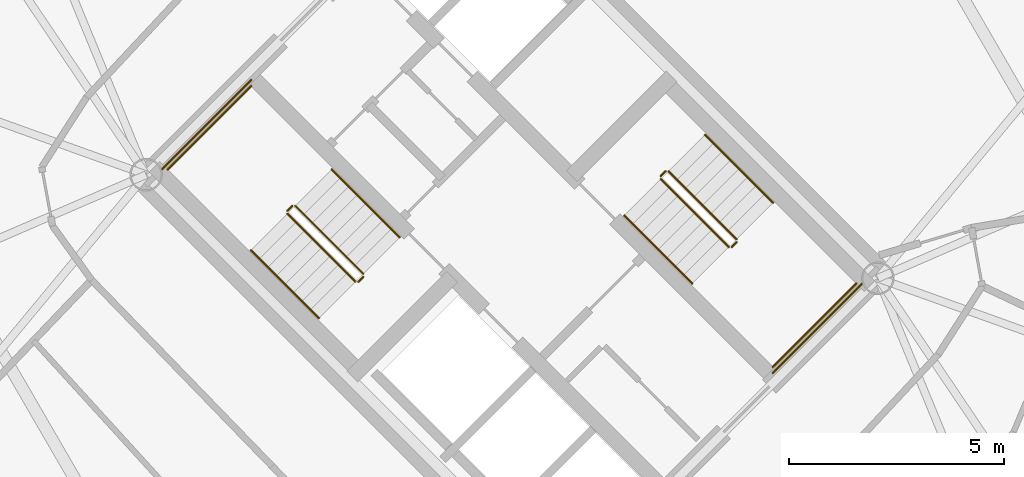
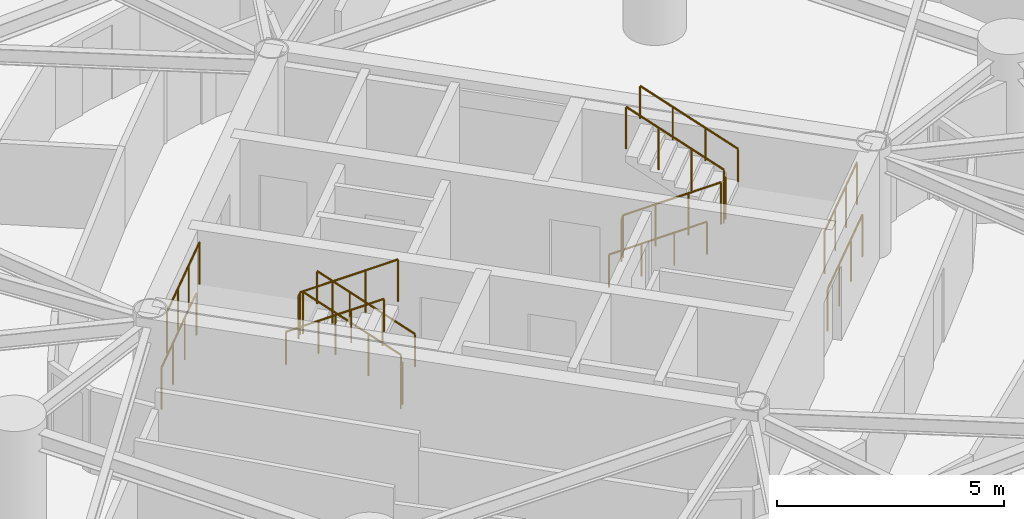
# One storey, part 17 of 18: 16 railings.
"""IFC4 building model written with IfcOpenShell, lengths in metres."""

from ifc_helpers import new_model, si_unit, direction, frame, origin, origin_2d, place, context, subcontext, project, spatial, circle, extrude, material, type_object, element, save


model = new_model("IFC4")

# Units and contexts
model_context = context("Model", 3, precision=1e-05, world=origin(), true_north=direction((0.0, 1.0)))
body_context = subcontext(model_context, "Body", "Model", "MODEL_VIEW")
ifc_project = project(units=[si_unit("LENGTHUNIT", "METRE"), si_unit("AREAUNIT", "SQUARE_METRE"), si_unit("VOLUMEUNIT", "CUBIC_METRE"), si_unit("PLANEANGLEUNIT", "RADIAN"), si_unit("MASSUNIT", "GRAM", prefix="KILO")], contexts=[model_context])

# Site, building, storey
site_placement = place(None, origin())
site = spatial("IfcSite", under=ifc_project, at=site_placement, CompositionType="ELEMENT")
building_placement = place(site_placement, origin())
building = spatial("IfcBuilding", under=site, at=building_placement, Name="Cununo Teusaquillo Station Towers", CompositionType="ELEMENT")
storey_placement = place(building_placement, frame((0.0, 0.0, 105.070068359375)))
storey = spatial("IfcBuildingStorey", under=building, at=storey_placement, Name="L33", CompositionType="ELEMENT", Elevation=105.070068359375)

# Railings
ifc_material_1 = material(Name="Steel EN 10025-2 S355J2", Category="steel")
railing_type_1 = type_object("IfcRailingType", Name="RL-INT-GUARD", PredefinedType="GUARDRAIL", material=ifc_material_1)
railing_1_placement = place(storey_placement, frame((54.03515625, 23.39697265625, 0.16162109375)))
element("IfcRailing", 1, at=railing_1_placement, inside=storey, type_object=railing_type_1, Name="L33 ST-T2-1 stair guard 1", PredefinedType="GUARDRAIL", context=body_context, shape_type="SweptSolid", body=[
    extrude(circle(Radius=0.02392578125, at=origin_2d()), frame((0.0, 0.0, 1.1259765625), z_axis=(-0.612361259024, 0.612361259024, 0.500027376144), x_axis=(-0.707106781187, -0.707106781187, 0.0)), (0.0, 0.0, 1.0), 2.586181640625),
    extrude(circle(Radius=0.02099609375, at=origin_2d()), origin(), (0.0, 0.0, 1.0), 1.101806640625),
    extrude(circle(Radius=0.02099609375, at=origin_2d()), frame((-0.52783203125, 0.52783203125, 0.43115234375)), (0.0, 0.0, 1.0), 1.101806640625),
    extrude(circle(Radius=0.02099609375, at=origin_2d()), frame((-1.055908203125, 1.055908203125, 0.862060546875)), (0.0, 0.0, 1.0), 1.101806640625),
    extrude(circle(Radius=0.02099609375, at=origin_2d()), frame((-1.583740234375, 1.583740234375, 1.293212890625)), (0.0, 0.0, 1.0), 1.101806640625),
])
railing_2_placement = place(storey_placement, frame((52.380615234375, 24.980712890625, 1.454833984375)))
element("IfcRailing", 2, at=railing_2_placement, inside=storey, type_object=railing_type_1, Name="L33 ST-T2-1 stair guard 2", PredefinedType="GUARDRAIL", context=body_context, shape_type="SweptSolid", body=[
    extrude(circle(Radius=0.02392578125, at=origin_2d()), frame((0.0, 0.0, 1.1259765625), z_axis=(-0.7078691598, -0.706343579714, 0.0), x_axis=(0.706343579714, -0.7078691598, 0.0)), (0.0, 0.0, 1.0), 0.159912109375),
    extrude(circle(Radius=0.02099609375, at=origin_2d()), origin(), (0.0, 0.0, 1.0), 1.101806640625),
    extrude(circle(Radius=0.02099609375, at=origin_2d()), frame((-0.11328125, -0.113037109375, 0.0)), (0.0, 0.0, 1.0), 1.101806640625),
])
railing_3_placement = place(storey_placement, frame((51.426025390625, 27.77392578125, 1.454833984375)))
element("IfcRailing", 3, at=railing_3_placement, inside=storey, type_object=railing_type_1, Name="L33 ST-T2-1 stair guard 3", PredefinedType="GUARDRAIL", context=body_context, shape_type="SweptSolid", body=[
    extrude(circle(Radius=0.02392578125, at=origin_2d()), frame((0.0, 0.0, 1.1259765625), z_axis=(-0.707106781187, -0.707106781187, 0.0), x_axis=(0.707106781187, -0.707106781187, 0.0)), (0.0, 0.0, 1.0), 2.760009765625),
    extrude(circle(Radius=0.02099609375, at=origin_2d()), origin(), (0.0, 0.0, 1.0), 1.101806640625),
    extrude(circle(Radius=0.02099609375, at=origin_2d()), frame((-0.650634765625, -0.650634765625, 0.0)), (0.0, 0.0, 1.0), 1.101806640625),
    extrude(circle(Radius=0.02099609375, at=origin_2d()), frame((-1.301025390625, -1.301025390625, 0.0)), (0.0, 0.0, 1.0), 1.101806640625),
    extrude(circle(Radius=0.02099609375, at=origin_2d()), frame((-1.95166015625, -1.95166015625, 0.0)), (0.0, 0.0, 1.0), 1.101806640625),
])
railing_4_placement = place(storey_placement, frame((52.267333984375, 24.796875, 1.61669921875)))
element("IfcRailing", 4, at=railing_4_placement, inside=storey, type_object=railing_type_1, Name="L33 ST-T2-1 stair guard 4", PredefinedType="GUARDRAIL", context=body_context, shape_type="SweptSolid", body=[
    extrude(circle(Radius=0.02392578125, at=origin_2d()), frame((0.0, 0.0, 1.1259765625), z_axis=(0.612420254088, -0.612325861324, 0.499998471934), x_axis=(0.707052281454, 0.707161276719, 0.0)), (0.0, 0.0, 1.0), 2.58642578125),
    extrude(circle(Radius=0.02099609375, at=origin_2d()), origin(), (0.0, 0.0, 1.0), 1.101806640625),
    extrude(circle(Radius=0.02099609375, at=origin_2d()), frame((0.528076171875, -0.52783203125, 0.43115234375)), (0.0, 0.0, 1.0), 1.101806640625),
    extrude(circle(Radius=0.02099609375, at=origin_2d()), frame((1.055908203125, -1.055908203125, 0.862060546875)), (0.0, 0.0, 1.0), 1.101806640625),
    extrude(circle(Radius=0.02099609375, at=origin_2d()), frame((1.583984375, -1.583740234375, 1.293212890625)), (0.0, 0.0, 1.0), 1.101806640625),
])
railing_5_placement = place(storey_placement, frame((54.03515625, 23.326171875, 0.0)))
element("IfcRailing", 5, at=railing_5_placement, inside=storey, type_object=railing_type_1, Name="L33 ST-T2-1 stair guard 5", PredefinedType="GUARDRAIL", context=body_context, shape_type="SweptSolid", body=[
    extrude(circle(Radius=0.02392578125, at=origin_2d()), frame((0.0, 0.0, 1.1259765625), z_axis=(-0.707106781187, -0.707106781187, 0.0), x_axis=(0.707106781187, -0.707106781187, 0.0)), (0.0, 0.0, 1.0), 0.159912109375),
    extrude(circle(Radius=0.02099609375, at=origin_2d()), origin(), (0.0, 0.0, 1.0), 1.101806640625),
    extrude(circle(Radius=0.02099609375, at=origin_2d()), frame((-0.113037109375, -0.113037109375, 0.0)), (0.0, 0.0, 1.0), 1.101806640625),
])
railing_6_placement = place(storey_placement, frame((51.426025390625, 27.915283203125, 0.0)))
element("IfcRailing", 6, at=railing_6_placement, inside=storey, type_object=railing_type_1, Name="L33 ST-T2-1 stair guard 6", PredefinedType="GUARDRAIL", context=body_context, shape_type="SweptSolid", body=[
    extrude(circle(Radius=0.02392578125, at=origin_2d()), frame((0.0, 0.0, 1.1259765625), z_axis=(-0.707106781187, -0.707106781187, 0.0), x_axis=(0.707106781187, -0.707106781187, 0.0)), (0.0, 0.0, 1.0), 2.9599609375),
    extrude(circle(Radius=0.02099609375, at=origin_2d()), origin(), (0.0, 0.0, 1.0), 1.101806640625),
    extrude(circle(Radius=0.02099609375, at=origin_2d()), frame((-0.69775390625, -0.69775390625, 0.0)), (0.0, 0.0, 1.0), 1.101806640625),
    extrude(circle(Radius=0.02099609375, at=origin_2d()), frame((-1.395263671875, -1.395263671875, 0.0)), (0.0, 0.0, 1.0), 1.101806640625),
    extrude(circle(Radius=0.02099609375, at=origin_2d()), frame((-2.093017578125, -2.093017578125, 0.0)), (0.0, 0.0, 1.0), 1.101806640625),
])
railing_7_placement = place(storey_placement, frame((60.96484375, 25.60302734375, 0.16162109375)))
element("IfcRailing", 7, at=railing_7_placement, inside=storey, type_object=railing_type_1, Name="L33 ST-T2-2 stair guard 1", PredefinedType="GUARDRAIL", context=body_context, shape_type="SweptSolid", body=[
    extrude(circle(Radius=0.02392578125, at=origin_2d()), frame((0.0, 0.0, 1.1259765625), z_axis=(0.612361259024, -0.612361259024, 0.500027376144), x_axis=(0.707106781187, 0.707106781187, 0.0)), (0.0, 0.0, 1.0), 2.586181640625),
    extrude(circle(Radius=0.02099609375, at=origin_2d()), origin(), (0.0, 0.0, 1.0), 1.101806640625),
    extrude(circle(Radius=0.02099609375, at=origin_2d()), frame((0.52783203125, -0.52783203125, 0.43115234375)), (0.0, 0.0, 1.0), 1.101806640625),
    extrude(circle(Radius=0.02099609375, at=origin_2d()), frame((1.055908203125, -1.055908203125, 0.862060546875)), (0.0, 0.0, 1.0), 1.101806640625),
    extrude(circle(Radius=0.02099609375, at=origin_2d()), frame((1.583740234375, -1.583740234375, 1.293212890625)), (0.0, 0.0, 1.0), 1.101806640625),
])
railing_8_placement = place(storey_placement, frame((62.619384765625, 24.019287109375, 1.454833984375)))
element("IfcRailing", 8, at=railing_8_placement, inside=storey, type_object=railing_type_1, Name="L33 ST-T2-2 stair guard 2", PredefinedType="GUARDRAIL", context=body_context, shape_type="SweptSolid", body=[
    extrude(circle(Radius=0.02392578125, at=origin_2d()), frame((0.0, 0.0, 1.1259765625), z_axis=(0.7078691598, 0.706343579714, 0.0), x_axis=(-0.706343579714, 0.7078691598, 0.0)), (0.0, 0.0, 1.0), 0.159912109375),
    extrude(circle(Radius=0.02099609375, at=origin_2d()), origin(), (0.0, 0.0, 1.0), 1.101806640625),
    extrude(circle(Radius=0.02099609375, at=origin_2d()), frame((0.11328125, 0.113037109375, 0.0)), (0.0, 0.0, 1.0), 1.101806640625),
])
railing_9_placement = place(storey_placement, frame((63.573974609375, 21.22607421875, 1.454833984375)))
element("IfcRailing", 9, at=railing_9_placement, inside=storey, type_object=railing_type_1, Name="L33 ST-T2-2 stair guard 3", PredefinedType="GUARDRAIL", context=body_context, shape_type="SweptSolid", body=[
    extrude(circle(Radius=0.02392578125, at=origin_2d()), frame((0.0, 0.0, 1.1259765625), z_axis=(0.707106781187, 0.707106781187, 0.0), x_axis=(-0.707106781187, 0.707106781187, 0.0)), (0.0, 0.0, 1.0), 2.760009765625),
    extrude(circle(Radius=0.02099609375, at=origin_2d()), origin(), (0.0, 0.0, 1.0), 1.101806640625),
    extrude(circle(Radius=0.02099609375, at=origin_2d()), frame((0.650634765625, 0.650634765625, 0.0)), (0.0, 0.0, 1.0), 1.101806640625),
    extrude(circle(Radius=0.02099609375, at=origin_2d()), frame((1.301025390625, 1.301025390625, 0.0)), (0.0, 0.0, 1.0), 1.101806640625),
    extrude(circle(Radius=0.02099609375, at=origin_2d()), frame((1.95166015625, 1.95166015625, 0.0)), (0.0, 0.0, 1.0), 1.101806640625),
])
railing_10_placement = place(storey_placement, frame((62.732666015625, 24.203125, 1.61669921875)))
element("IfcRailing", 10, at=railing_10_placement, inside=storey, type_object=railing_type_1, Name="L33 ST-T2-2 stair guard 4", PredefinedType="GUARDRAIL", context=body_context, shape_type="SweptSolid", body=[
    extrude(circle(Radius=0.02392578125, at=origin_2d()), frame((0.0, 0.0, 1.1259765625), z_axis=(-0.612420254088, 0.612325861324, 0.499998471934), x_axis=(-0.707052281454, -0.707161276719, 0.0)), (0.0, 0.0, 1.0), 2.58642578125),
    extrude(circle(Radius=0.02099609375, at=origin_2d()), origin(), (0.0, 0.0, 1.0), 1.101806640625),
    extrude(circle(Radius=0.02099609375, at=origin_2d()), frame((-0.528076171875, 0.52783203125, 0.43115234375)), (0.0, 0.0, 1.0), 1.101806640625),
    extrude(circle(Radius=0.02099609375, at=origin_2d()), frame((-1.055908203125, 1.055908203125, 0.862060546875)), (0.0, 0.0, 1.0), 1.101806640625),
    extrude(circle(Radius=0.02099609375, at=origin_2d()), frame((-1.583984375, 1.583740234375, 1.293212890625)), (0.0, 0.0, 1.0), 1.101806640625),
])
railing_11_placement = place(storey_placement, frame((60.96484375, 25.673828125, 0.0)))
element("IfcRailing", 11, at=railing_11_placement, inside=storey, type_object=railing_type_1, Name="L33 ST-T2-2 stair guard 5", PredefinedType="GUARDRAIL", context=body_context, shape_type="SweptSolid", body=[
    extrude(circle(Radius=0.02392578125, at=origin_2d()), frame((0.0, 0.0, 1.1259765625), z_axis=(0.707106781187, 0.707106781187, 0.0), x_axis=(-0.707106781187, 0.707106781187, 0.0)), (0.0, 0.0, 1.0), 0.159912109375),
    extrude(circle(Radius=0.02099609375, at=origin_2d()), origin(), (0.0, 0.0, 1.0), 1.101806640625),
    extrude(circle(Radius=0.02099609375, at=origin_2d()), frame((0.113037109375, 0.113037109375, 0.0)), (0.0, 0.0, 1.0), 1.101806640625),
])
railing_12_placement = place(storey_placement, frame((63.573974609375, 21.084716796875, 0.0)))
element("IfcRailing", 12, at=railing_12_placement, inside=storey, type_object=railing_type_1, Name="L33 ST-T2-2 stair guard 6", PredefinedType="GUARDRAIL", context=body_context, shape_type="SweptSolid", body=[
    extrude(circle(Radius=0.02392578125, at=origin_2d()), frame((0.0, 0.0, 1.1259765625), z_axis=(0.707106781187, 0.707106781187, 0.0), x_axis=(-0.707106781187, 0.707106781187, 0.0)), (0.0, 0.0, 1.0), 2.9599609375),
    extrude(circle(Radius=0.02099609375, at=origin_2d()), origin(), (0.0, 0.0, 1.0), 1.101806640625),
    extrude(circle(Radius=0.02099609375, at=origin_2d()), frame((0.69775390625, 0.69775390625, 0.0)), (0.0, 0.0, 1.0), 1.101806640625),
    extrude(circle(Radius=0.02099609375, at=origin_2d()), frame((1.395263671875, 1.395263671875, 0.0)), (0.0, 0.0, 1.0), 1.101806640625),
    extrude(circle(Radius=0.02099609375, at=origin_2d()), frame((2.093017578125, 2.093017578125, 0.0)), (0.0, 0.0, 1.0), 1.101806640625),
])
ifc_material_2 = material(Name="Steel EN 10025-2 S355J2", Category="steel")
railing_type_2 = type_object("IfcRailingType", Name="RL-INT-HRAIL", PredefinedType="HANDRAIL", material=ifc_material_2)
railing_13_placement = place(storey_placement, frame((54.8837890625, 24.245361328125, 0.16162109375)))
element("IfcRailing", 13, at=railing_13_placement, inside=storey, type_object=railing_type_2, Name="L33 ST-T2-1 stair handrail 1", PredefinedType="HANDRAIL", context=body_context, shape_type="SweptSolid", body=[
    extrude(circle(Radius=0.02392578125, at=origin_2d()), frame((0.0, 0.0, 0.8759765625), z_axis=(-0.612384857071, 0.612384857071, 0.499969572735), x_axis=(-0.707106781187, -0.707106781187, 0.0)), (0.0, 0.0, 1.0), 2.586669921875),
    extrude(circle(Radius=0.02099609375, at=origin_2d()), origin(), (0.0, 0.0, 1.0), 0.851806640625),
    extrude(circle(Radius=0.02099609375, at=origin_2d()), frame((-0.528076171875, 0.528076171875, 0.43115234375)), (0.0, 0.0, 1.0), 0.851806640625),
    extrude(circle(Radius=0.02099609375, at=origin_2d()), frame((-1.055908203125, 1.055908203125, 0.862060546875)), (0.0, 0.0, 1.0), 0.851806640625),
    extrude(circle(Radius=0.02099609375, at=origin_2d()), frame((-1.583984375, 1.583984375, 1.293212890625)), (0.0, 0.0, 1.0), 0.851806640625),
])
for number, where, name in (
    (14, (51.4189453125, 23.948486328125, 1.61669921875), "L33 ST-T2-1 stair handrail 2"),
    (15, (60.1162109375, 24.754638671875, 0.16162109375), "L33 ST-T2-2 stair handrail 1"),
):
    element("IfcRailing", number, at=place(storey_placement, frame(where)), inside=storey, type_object=railing_type_2, Name=name, PredefinedType="HANDRAIL", context=body_context, shape_type="SweptSolid", body=[
        extrude(circle(Radius=0.02392578125, at=origin_2d()), frame((0.0, 0.0, 0.8759765625), z_axis=(0.612384857071, -0.612384857071, 0.499969572735), x_axis=(0.707106781187, 0.707106781187, 0.0)), (0.0, 0.0, 1.0), 2.586669921875),
        extrude(circle(Radius=0.02099609375, at=origin_2d()), origin(), (0.0, 0.0, 1.0), 0.851806640625),
        extrude(circle(Radius=0.02099609375, at=origin_2d()), frame((0.528076171875, -0.528076171875, 0.43115234375)), (0.0, 0.0, 1.0), 0.851806640625),
        extrude(circle(Radius=0.02099609375, at=origin_2d()), frame((1.055908203125, -1.055908203125, 0.862060546875)), (0.0, 0.0, 1.0), 0.851806640625),
        extrude(circle(Radius=0.02099609375, at=origin_2d()), frame((1.583984375, -1.583984375, 1.293212890625)), (0.0, 0.0, 1.0), 0.851806640625),
    ])
railing_14_placement = place(storey_placement, frame((63.5810546875, 25.051513671875, 1.61669921875)))
element("IfcRailing", 16, at=railing_14_placement, inside=storey, type_object=railing_type_2, Name="L33 ST-T2-2 stair handrail 2", PredefinedType="HANDRAIL", context=body_context, shape_type="SweptSolid", body=[
    extrude(circle(Radius=0.02392578125, at=origin_2d()), frame((0.0, 0.0, 0.8759765625), z_axis=(-0.612384857071, 0.612384857071, 0.499969572735), x_axis=(-0.707106781187, -0.707106781187, 0.0)), (0.0, 0.0, 1.0), 2.586669921875),
    extrude(circle(Radius=0.02099609375, at=origin_2d()), origin(), (0.0, 0.0, 1.0), 0.851806640625),
    extrude(circle(Radius=0.02099609375, at=origin_2d()), frame((-0.528076171875, 0.528076171875, 0.43115234375)), (0.0, 0.0, 1.0), 0.851806640625),
    extrude(circle(Radius=0.02099609375, at=origin_2d()), frame((-1.055908203125, 1.055908203125, 0.862060546875)), (0.0, 0.0, 1.0), 0.851806640625),
    extrude(circle(Radius=0.02099609375, at=origin_2d()), frame((-1.583984375, 1.583984375, 1.293212890625)), (0.0, 0.0, 1.0), 0.851806640625),
])

save(model, "model.ifc")
